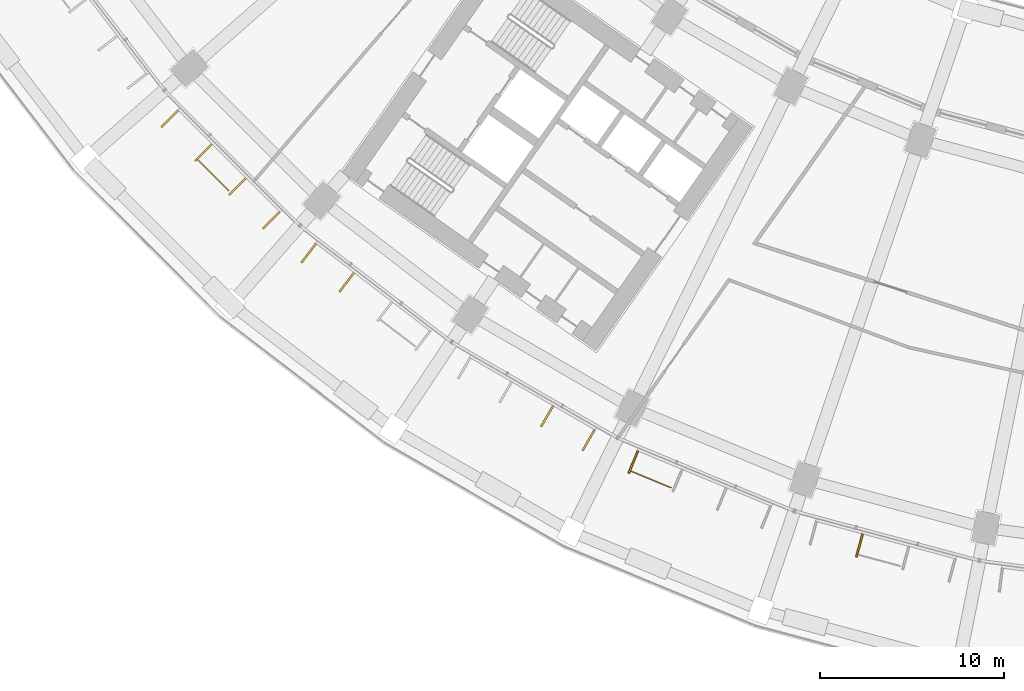
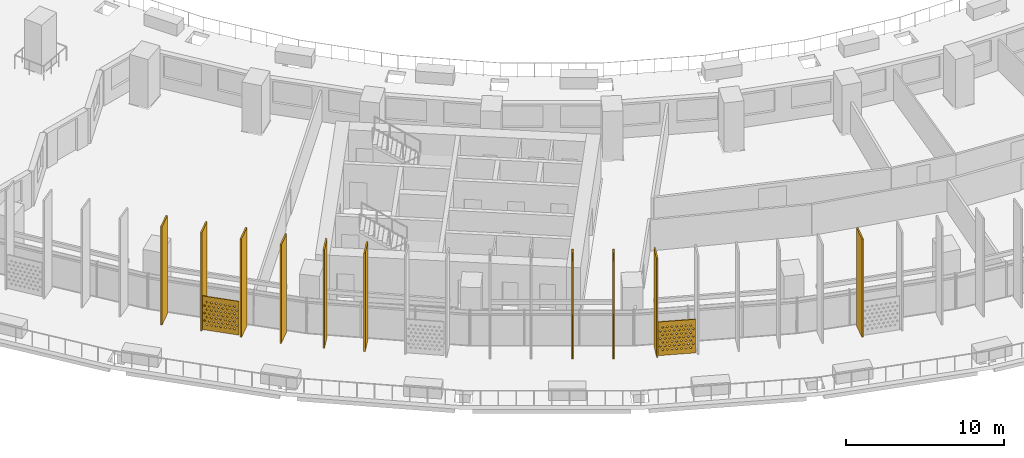
# One storey, part 24 of 35: 12 shading devices.
"""IFC4 building model written with IfcOpenShell, lengths in metres."""

import ifcopenshell
import ifcopenshell.guid

model = None  # the IFC model being written
_history = None  # IfcOwnerHistory: only IFC2X3 demands one
_inside = {}  # id of a spatial element -> (the spatial element, [elements in it])
_under = {}  # id of a project, library or spatial element -> (it, [spatial elements below it])
_declared = {}  # id of a project -> (the project, [libraries it declares])
_typed = {}  # id of a type object -> (the type object, [elements of that type])
_made_of = {}  # id of a material, layer set ... -> (it, [elements and type objects made of it])


def new_model(schema):
    """Start an empty IFC model of exactly this schema.

    Asked for "IFC4X3", IfcOpenShell would pick the latest addendum, in which some entities
    have other attributes; the version numbers below select the first issue.
    IFC2X3 requires an IfcOwnerHistory on every rooted entity: one is made here for all.
    """
    global model, _history
    if schema == "IFC4X3":
        model = ifcopenshell.file(schema_version=(4, 3, 0, 0))
    else:
        model = ifcopenshell.file(schema=schema)
    _inside.clear()
    _under.clear()
    _declared.clear()
    _typed.clear()
    _made_of.clear()
    _history = None
    if model.schema == "IFC2X3":
        org = make("IfcOrganization", Name="unknown")
        user = make(
            "IfcPersonAndOrganization",
            ThePerson=make("IfcPerson", FamilyName="unknown"),
            TheOrganization=org,
        )
        app = make(
            "IfcApplication",
            ApplicationDeveloper=org,
            Version="unknown",
            ApplicationFullName="unknown",
            ApplicationIdentifier="unknown",
        )
        _history = make(
            "IfcOwnerHistory",
            OwningUser=user,
            OwningApplication=app,
            ChangeAction="ADDED",
            CreationDate=0,
        )
    return model


def make(cls, **values):
    """One entity of the class cls with the attributes given. An attribute that is None is left unset."""
    return model.create_entity(
        cls, **{name: value for name, value in values.items() if value is not None}
    )


def rooted(cls, **values):
    """An entity with a GlobalId (a new one), such as an element, a storey or a relation."""
    return make(cls, GlobalId=ifcopenshell.guid.new(), OwnerHistory=_history, **values)


def si_unit(unit_type, name, prefix=None):
    """IfcSIUnit, for example si_unit("LENGTHUNIT", "METRE", prefix="MILLI")."""
    return make("IfcSIUnit", UnitType=unit_type, Prefix=prefix, Name=name)


def assignment(units):
    """IfcUnitAssignment: the units of a project."""
    return None if units is None else make("IfcUnitAssignment", Units=units)


def point(xyz):
    """IfcCartesianPoint."""
    return None if xyz is None else make("IfcCartesianPoint", Coordinates=xyz)


def direction(xyz):
    """IfcDirection."""
    return None if xyz is None else make("IfcDirection", DirectionRatios=xyz)


def frame(location, z_axis=None, x_axis=None):
    """IfcAxis2Placement3D, a coordinate frame: its origin and axes. An axis left out is left unset."""
    return make(
        "IfcAxis2Placement3D",
        Location=point(location),
        Axis=direction(z_axis),
        RefDirection=direction(x_axis),
    )


def frame_2d(location, x_axis=None):
    """IfcAxis2Placement2D, a coordinate frame in the plane: its origin and x axis."""
    return make(
        "IfcAxis2Placement2D", Location=point(location), RefDirection=direction(x_axis)
    )


def origin():
    """The frame at (0, 0, 0) with its axes left unset."""
    return frame((0.0, 0.0, 0.0))


def origin_2d():
    """The frame at (0, 0) in the plane with its x axis left unset."""
    return frame_2d((0.0, 0.0))


def place(relative_to, where):
    """IfcLocalPlacement: puts the frame where relative to a parent placement (None: the world)."""
    return make(
        "IfcLocalPlacement", PlacementRelTo=relative_to, RelativePlacement=where
    )


def context(
    kind, dimensions, precision=None, world=None, true_north=None, identifier=None
):
    """IfcGeometricRepresentationContext, for example the 3D "Model" context."""
    return make(
        "IfcGeometricRepresentationContext",
        ContextIdentifier=identifier,
        ContextType=kind,
        CoordinateSpaceDimension=dimensions,
        Precision=precision,
        WorldCoordinateSystem=world,
        TrueNorth=true_north,
    )


def subcontext(parent, identifier, kind, view, scale=None):
    """IfcGeometricRepresentationSubContext, for example "Body" below "Model"."""
    return make(
        "IfcGeometricRepresentationSubContext",
        ContextIdentifier=identifier,
        ContextType=kind,
        ParentContext=parent,
        TargetScale=scale,
        TargetView=view,
    )


def project(units=None, contexts=None):
    """IfcProject with its units and contexts."""
    return rooted(
        "IfcProject",
        Name="project",
        RepresentationContexts=contexts,
        UnitsInContext=assignment(units),
    )


def spatial(cls, under=None, at=None, **own):
    """A site, building, storey or space (cls), placed at a placement, below another one or the project."""
    s = rooted(cls, ObjectPlacement=at, **own)
    if under is not None:
        _under.setdefault(under.id(), (under, []))[1].append(s)
    return s


def polyline(points):
    """IfcPolyline through the points."""
    return make("IfcPolyline", Points=[point(p) for p in points])


def profile(cls, at=None, kind="AREA", **sizes):
    """A parametric profile (cls). Its sizes go by their IFC names, for example OverallWidth=200.0."""
    return make(cls, ProfileType=kind, Position=at, **sizes)


def rectangle(**sizes):
    """IfcRectangleProfileDef."""
    return profile("IfcRectangleProfileDef", **sizes)


def outline(outer, holes=None, kind="AREA"):
    """IfcArbitraryClosedProfileDef: a profile drawn as a closed curve; with holes, ...WithVoids."""
    if holes is None:
        return make("IfcArbitraryClosedProfileDef", ProfileType=kind, OuterCurve=outer)
    return make(
        "IfcArbitraryProfileDefWithVoids",
        ProfileType=kind,
        OuterCurve=outer,
        InnerCurves=holes,
    )


def extrude(swept, where, along, depth):
    """IfcExtrudedAreaSolid: the profile swept, set in the frame where, extruded along a direction by depth."""
    return make(
        "IfcExtrudedAreaSolid",
        SweptArea=swept,
        Position=where,
        ExtrudedDirection=direction(along),
        Depth=depth,
    )


def shape(context_of_items, identifier, shape_type, items):
    """IfcShapeRepresentation: the items that make up one representation, for example the "Body"."""
    return make(
        "IfcShapeRepresentation",
        ContextOfItems=context_of_items,
        RepresentationIdentifier=identifier,
        RepresentationType=shape_type,
        Items=items,
    )


def material(Name=None, Category=None):
    """IfcMaterial."""
    return make("IfcMaterial", Name=Name, Category=Category)


def material_profile(
    of_material, cross_section, Name=None, Category=None, Priority=None
):
    """IfcMaterialProfile: a cross section and its material."""
    return make(
        "IfcMaterialProfile",
        Name=Name,
        Material=of_material,
        Profile=cross_section,
        Priority=Priority,
        Category=Category,
    )


def profile_set(profiles, Name=None, composite=None):
    """IfcMaterialProfileSet."""
    return make(
        "IfcMaterialProfileSet",
        Name=Name,
        MaterialProfiles=profiles,
        CompositeProfile=composite,
    )


def made_of(thing, what):
    """Note that an element or type object is made of a material, layer set ...; save() writes the relation."""
    if what is not None:
        _made_of.setdefault(what.id(), (what, []))[1].append(thing)
    return thing


def type_object(cls, material=None, **own):
    """A type object (cls), such as IfcWallType, which elements share."""
    return made_of(rooted(cls, **own), material)


def element(
    cls,
    number,
    at=None,
    inside=None,
    cuts=None,
    type_object=None,
    material=None,
    context=None,
    identifier="Body",
    shape_type=None,
    held_by="IfcProductDefinitionShape",
    body=None,
    shapes=None,
    **own,
):
    """One element of the class cls, such as IfcWall. Its Tag is "e" and its number.

    at: its placement. inside: the storey or other place that contains it. cuts: it is an
    opening in that element (IfcRelVoidsElement). A single representation is given by context,
    identifier, shape_type and body (its items); several are given by shapes. held_by: the class
    of the entity that holds the representations. save() writes the other relations.
    """
    e = rooted(cls, Tag="e%d" % number, ObjectPlacement=at, **own)
    if body is not None:
        shapes = [shape(context, identifier, shape_type, body)]
    if shapes is not None:
        e.Representation = make(held_by, Representations=shapes)
    if inside is not None:
        _inside.setdefault(inside.id(), (inside, []))[1].append(e)
    if cuts is not None:
        rooted(
            "IfcRelVoidsElement", RelatingBuildingElement=cuts, RelatedOpeningElement=e
        )
    if type_object is not None:
        _typed.setdefault(type_object.id(), (type_object, []))[1].append(e)
    return made_of(e, material)


def aggregate(whole, parts):
    """IfcRelAggregates: a whole, such as a stair, and the parts it consists of."""
    return rooted("IfcRelAggregates", RelatingObject=whole, RelatedObjects=parts)


def save(model, path):
    """Write the relations noted so far, then the file.

    IfcRelAggregates (storeys below a building ...), IfcRelContainedInSpatialStructure (elements
    in a storey), IfcRelDefinesByType, IfcRelAssociatesMaterial and IfcRelDeclares: one each for
    every whole, place, type object, material and project.
    """
    for whole, parts in _under.values():
        aggregate(whole, parts)
    for where, things in _inside.values():
        rooted(
            "IfcRelContainedInSpatialStructure",
            RelatedElements=things,
            RelatingStructure=where,
        )
    for kind, things in _typed.values():
        rooted("IfcRelDefinesByType", RelatedObjects=things, RelatingType=kind)
    for what, things in _made_of.values():
        rooted("IfcRelAssociatesMaterial", RelatedObjects=things, RelatingMaterial=what)
    for by, libraries in _declared.values():
        rooted("IfcRelDeclares", RelatingContext=by, RelatedDefinitions=libraries)
    model.write(path)


model = new_model("IFC4")

# Units and contexts
model_context = context("Model", 3, precision=1e-05, world=origin(), true_north=direction((0.0, 1.0)))
body_context = subcontext(model_context, "Body", "Model", "MODEL_VIEW")
ifc_project = project(units=[si_unit("LENGTHUNIT", "METRE"), si_unit("AREAUNIT", "SQUARE_METRE"), si_unit("VOLUMEUNIT", "CUBIC_METRE"), si_unit("PLANEANGLEUNIT", "RADIAN"), si_unit("MASSUNIT", "GRAM", prefix="KILO")], contexts=[model_context])

# Site, building, storey
site_placement = place(None, origin())
site = spatial("IfcSite", under=ifc_project, at=site_placement, CompositionType="ELEMENT")
building_placement = place(site_placement, origin())
building = spatial("IfcBuilding", under=site, at=building_placement, Name="Qamariyya Broadcast Tower", CompositionType="ELEMENT")
storey_placement = place(building_placement, frame((0.0, 0.0, 40.5)))
storey = spatial("IfcBuildingStorey", under=building, at=storey_placement, Name="L06", CompositionType="ELEMENT", Elevation=40.5)

# Shading devices
ifc_material_1 = material(Name="Perforated glazed terracotta", Category="masonry")
ifc_material_profile_1 = material_profile(ifc_material_1, outline(polyline([(-1.199951171875, -1.300048828125), (1.199951171875, -1.300048828125), (1.199951171875, 1.300048828125), (-1.199951171875, 1.300048828125), (-1.199951171875, -1.300048828125)]), holes=[polyline([(-0.81494140625, -0.86669921875), (-0.89990234375, -0.78173828125), (-0.985107421875, -0.86669921875), (-0.89990234375, -0.95166015625), (-0.81494140625, -0.86669921875)]), polyline([(-0.514892578125, -0.86669921875), (-0.60009765625, -0.78173828125), (-0.68505859375, -0.86669921875), (-0.60009765625, -0.95166015625), (-0.514892578125, -0.86669921875)]), polyline([(-0.215087890625, -0.86669921875), (-0.300048828125, -0.78173828125), (-0.385009765625, -0.86669921875), (-0.300048828125, -0.95166015625), (-0.215087890625, -0.86669921875)]), polyline([(0.0849609375, -0.86669921875), (0.0, -0.78173828125), (-0.0849609375, -0.86669921875), (0.0, -0.95166015625), (0.0849609375, -0.86669921875)]), polyline([(0.385009765625, -0.86669921875), (0.300048828125, -0.78173828125), (0.215087890625, -0.86669921875), (0.300048828125, -0.95166015625), (0.385009765625, -0.86669921875)]), polyline([(0.68505859375, -0.86669921875), (0.60009765625, -0.78173828125), (0.514892578125, -0.86669921875), (0.60009765625, -0.95166015625), (0.68505859375, -0.86669921875)]), polyline([(0.985107421875, -0.86669921875), (0.89990234375, -0.78173828125), (0.81494140625, -0.86669921875), (0.89990234375, -0.95166015625), (0.985107421875, -0.86669921875)]), polyline([(-0.965087890625, -0.577880859375), (-1.050048828125, -0.49267578125), (-1.135009765625, -0.577880859375), (-1.050048828125, -0.662841796875), (-0.965087890625, -0.577880859375)]), polyline([(-0.6650390625, -0.577880859375), (-0.75, -0.49267578125), (-0.8349609375, -0.577880859375), (-0.75, -0.662841796875), (-0.6650390625, -0.577880859375)]), polyline([(-0.364990234375, -0.577880859375), (-0.449951171875, -0.49267578125), (-0.534912109375, -0.577880859375), (-0.449951171875, -0.662841796875), (-0.364990234375, -0.577880859375)]), polyline([(-0.06494140625, -0.577880859375), (-0.14990234375, -0.49267578125), (-0.235107421875, -0.577880859375), (-0.14990234375, -0.662841796875), (-0.06494140625, -0.577880859375)]), polyline([(0.235107421875, -0.577880859375), (0.14990234375, -0.49267578125), (0.06494140625, -0.577880859375), (0.14990234375, -0.662841796875), (0.235107421875, -0.577880859375)]), polyline([(0.534912109375, -0.577880859375), (0.449951171875, -0.49267578125), (0.364990234375, -0.577880859375), (0.449951171875, -0.662841796875), (0.534912109375, -0.577880859375)]), polyline([(0.8349609375, -0.577880859375), (0.75, -0.49267578125), (0.6650390625, -0.577880859375), (0.75, -0.662841796875), (0.8349609375, -0.577880859375)]), polyline([(1.135009765625, -0.577880859375), (1.050048828125, -0.49267578125), (0.965087890625, -0.577880859375), (1.050048828125, -0.662841796875), (1.135009765625, -0.577880859375)]), polyline([(-0.81494140625, -0.288818359375), (-0.89990234375, -0.203857421875), (-0.985107421875, -0.288818359375), (-0.89990234375, -0.373779296875), (-0.81494140625, -0.288818359375)]), polyline([(-0.514892578125, -0.288818359375), (-0.60009765625, -0.203857421875), (-0.68505859375, -0.288818359375), (-0.60009765625, -0.373779296875), (-0.514892578125, -0.288818359375)]), polyline([(-0.215087890625, -0.288818359375), (-0.300048828125, -0.203857421875), (-0.385009765625, -0.288818359375), (-0.300048828125, -0.373779296875), (-0.215087890625, -0.288818359375)]), polyline([(0.0849609375, -0.288818359375), (0.0, -0.203857421875), (-0.0849609375, -0.288818359375), (0.0, -0.373779296875), (0.0849609375, -0.288818359375)]), polyline([(0.385009765625, -0.288818359375), (0.300048828125, -0.203857421875), (0.215087890625, -0.288818359375), (0.300048828125, -0.373779296875), (0.385009765625, -0.288818359375)]), polyline([(0.68505859375, -0.288818359375), (0.60009765625, -0.203857421875), (0.514892578125, -0.288818359375), (0.60009765625, -0.373779296875), (0.68505859375, -0.288818359375)]), polyline([(0.985107421875, -0.288818359375), (0.89990234375, -0.203857421875), (0.81494140625, -0.288818359375), (0.89990234375, -0.373779296875), (0.985107421875, -0.288818359375)]), polyline([(-0.965087890625, 0.0), (-1.050048828125, 0.0849609375), (-1.135009765625, 0.0), (-1.050048828125, -0.0849609375), (-0.965087890625, 0.0)]), polyline([(-0.6650390625, 0.0), (-0.75, 0.0849609375), (-0.8349609375, 0.0), (-0.75, -0.0849609375), (-0.6650390625, 0.0)]), polyline([(-0.364990234375, 0.0), (-0.449951171875, 0.0849609375), (-0.534912109375, 0.0), (-0.449951171875, -0.0849609375), (-0.364990234375, 0.0)]), polyline([(-0.06494140625, 0.0), (-0.14990234375, 0.0849609375), (-0.235107421875, 0.0), (-0.14990234375, -0.0849609375), (-0.06494140625, 0.0)]), polyline([(0.235107421875, 0.0), (0.14990234375, 0.0849609375), (0.06494140625, 0.0), (0.14990234375, -0.0849609375), (0.235107421875, 0.0)]), polyline([(0.534912109375, 0.0), (0.449951171875, 0.0849609375), (0.364990234375, 0.0), (0.449951171875, -0.0849609375), (0.534912109375, 0.0)]), polyline([(0.8349609375, 0.0), (0.75, 0.0849609375), (0.6650390625, 0.0), (0.75, -0.0849609375), (0.8349609375, 0.0)]), polyline([(1.135009765625, 0.0), (1.050048828125, 0.0849609375), (0.965087890625, 0.0), (1.050048828125, -0.0849609375), (1.135009765625, 0.0)]), polyline([(-0.81494140625, 0.288818359375), (-0.89990234375, 0.373779296875), (-0.985107421875, 0.288818359375), (-0.89990234375, 0.203857421875), (-0.81494140625, 0.288818359375)]), polyline([(-0.514892578125, 0.288818359375), (-0.60009765625, 0.373779296875), (-0.68505859375, 0.288818359375), (-0.60009765625, 0.203857421875), (-0.514892578125, 0.288818359375)]), polyline([(-0.215087890625, 0.288818359375), (-0.300048828125, 0.373779296875), (-0.385009765625, 0.288818359375), (-0.300048828125, 0.203857421875), (-0.215087890625, 0.288818359375)]), polyline([(0.0849609375, 0.288818359375), (0.0, 0.373779296875), (-0.0849609375, 0.288818359375), (0.0, 0.203857421875), (0.0849609375, 0.288818359375)]), polyline([(0.385009765625, 0.288818359375), (0.300048828125, 0.373779296875), (0.215087890625, 0.288818359375), (0.300048828125, 0.203857421875), (0.385009765625, 0.288818359375)]), polyline([(0.68505859375, 0.288818359375), (0.60009765625, 0.373779296875), (0.514892578125, 0.288818359375), (0.60009765625, 0.203857421875), (0.68505859375, 0.288818359375)]), polyline([(0.985107421875, 0.288818359375), (0.89990234375, 0.373779296875), (0.81494140625, 0.288818359375), (0.89990234375, 0.203857421875), (0.985107421875, 0.288818359375)]), polyline([(-0.965087890625, 0.577880859375), (-1.050048828125, 0.662841796875), (-1.135009765625, 0.577880859375), (-1.050048828125, 0.49267578125), (-0.965087890625, 0.577880859375)]), polyline([(-0.6650390625, 0.577880859375), (-0.75, 0.662841796875), (-0.8349609375, 0.577880859375), (-0.75, 0.49267578125), (-0.6650390625, 0.577880859375)]), polyline([(-0.364990234375, 0.577880859375), (-0.449951171875, 0.662841796875), (-0.534912109375, 0.577880859375), (-0.449951171875, 0.49267578125), (-0.364990234375, 0.577880859375)]), polyline([(-0.06494140625, 0.577880859375), (-0.14990234375, 0.662841796875), (-0.235107421875, 0.577880859375), (-0.14990234375, 0.49267578125), (-0.06494140625, 0.577880859375)]), polyline([(0.235107421875, 0.577880859375), (0.14990234375, 0.662841796875), (0.06494140625, 0.577880859375), (0.14990234375, 0.49267578125), (0.235107421875, 0.577880859375)]), polyline([(0.534912109375, 0.577880859375), (0.449951171875, 0.662841796875), (0.364990234375, 0.577880859375), (0.449951171875, 0.49267578125), (0.534912109375, 0.577880859375)]), polyline([(0.8349609375, 0.577880859375), (0.75, 0.662841796875), (0.6650390625, 0.577880859375), (0.75, 0.49267578125), (0.8349609375, 0.577880859375)]), polyline([(1.135009765625, 0.577880859375), (1.050048828125, 0.662841796875), (0.965087890625, 0.577880859375), (1.050048828125, 0.49267578125), (1.135009765625, 0.577880859375)]), polyline([(-0.81494140625, 0.86669921875), (-0.89990234375, 0.95166015625), (-0.985107421875, 0.86669921875), (-0.89990234375, 0.78173828125), (-0.81494140625, 0.86669921875)]), polyline([(-0.514892578125, 0.86669921875), (-0.60009765625, 0.95166015625), (-0.68505859375, 0.86669921875), (-0.60009765625, 0.78173828125), (-0.514892578125, 0.86669921875)]), polyline([(-0.215087890625, 0.86669921875), (-0.300048828125, 0.95166015625), (-0.385009765625, 0.86669921875), (-0.300048828125, 0.78173828125), (-0.215087890625, 0.86669921875)]), polyline([(0.0849609375, 0.86669921875), (0.0, 0.95166015625), (-0.0849609375, 0.86669921875), (0.0, 0.78173828125), (0.0849609375, 0.86669921875)]), polyline([(0.385009765625, 0.86669921875), (0.300048828125, 0.95166015625), (0.215087890625, 0.86669921875), (0.300048828125, 0.78173828125), (0.385009765625, 0.86669921875)]), polyline([(0.68505859375, 0.86669921875), (0.60009765625, 0.95166015625), (0.514892578125, 0.86669921875), (0.60009765625, 0.78173828125), (0.68505859375, 0.86669921875)]), polyline([(0.985107421875, 0.86669921875), (0.89990234375, 0.95166015625), (0.81494140625, 0.86669921875), (0.89990234375, 0.78173828125), (0.985107421875, 0.86669921875)])]))
ifc_profile_set_1 = profile_set([ifc_material_profile_1], Name="Perforated glazed terracotta")
shading_device_type_1 = type_object("IfcShadingDeviceType", Name="Perforated terracotta screen 2400 x 2600", PredefinedType="USERDEFINED", material=ifc_profile_set_1)
shading_device_1_placement = place(storey_placement, frame((-57.135498046875, -57.0615234375, 1.35009765625), z_axis=(-0.707106781187, -0.707106781187, 0.0), x_axis=(0.707106781187, -0.707106781187, 0.0)))
element("IfcShadingDevice", 1, at=shading_device_1_placement, inside=storey, type_object=shading_device_type_1, Name="e-scr-L06-02-1", ObjectType="SCREEN", PredefinedType="USERDEFINED", context=body_context, shape_type="SweptSolid", body=[
    extrude(outline(polyline([(-1.199951171875, -1.300048828125), (1.199951171875, -1.300048828125), (1.199951171875, 1.300048828125), (-1.199951171875, 1.300048828125), (-1.199951171875, -1.300048828125)]), holes=[polyline([(-0.81494140625, -0.86669921875), (-0.89990234375, -0.78173828125), (-0.985107421875, -0.86669921875), (-0.89990234375, -0.95166015625), (-0.81494140625, -0.86669921875)]), polyline([(-0.514892578125, -0.86669921875), (-0.60009765625, -0.78173828125), (-0.68505859375, -0.86669921875), (-0.60009765625, -0.95166015625), (-0.514892578125, -0.86669921875)]), polyline([(-0.215087890625, -0.86669921875), (-0.300048828125, -0.78173828125), (-0.385009765625, -0.86669921875), (-0.300048828125, -0.95166015625), (-0.215087890625, -0.86669921875)]), polyline([(0.0849609375, -0.86669921875), (0.0, -0.78173828125), (-0.0849609375, -0.86669921875), (0.0, -0.95166015625), (0.0849609375, -0.86669921875)]), polyline([(0.385009765625, -0.86669921875), (0.300048828125, -0.78173828125), (0.215087890625, -0.86669921875), (0.300048828125, -0.95166015625), (0.385009765625, -0.86669921875)]), polyline([(0.68505859375, -0.86669921875), (0.60009765625, -0.78173828125), (0.514892578125, -0.86669921875), (0.60009765625, -0.95166015625), (0.68505859375, -0.86669921875)]), polyline([(0.985107421875, -0.86669921875), (0.89990234375, -0.78173828125), (0.81494140625, -0.86669921875), (0.89990234375, -0.95166015625), (0.985107421875, -0.86669921875)]), polyline([(-0.965087890625, -0.577880859375), (-1.050048828125, -0.49267578125), (-1.135009765625, -0.577880859375), (-1.050048828125, -0.662841796875), (-0.965087890625, -0.577880859375)]), polyline([(-0.6650390625, -0.577880859375), (-0.75, -0.49267578125), (-0.8349609375, -0.577880859375), (-0.75, -0.662841796875), (-0.6650390625, -0.577880859375)]), polyline([(-0.364990234375, -0.577880859375), (-0.449951171875, -0.49267578125), (-0.534912109375, -0.577880859375), (-0.449951171875, -0.662841796875), (-0.364990234375, -0.577880859375)]), polyline([(-0.06494140625, -0.577880859375), (-0.14990234375, -0.49267578125), (-0.235107421875, -0.577880859375), (-0.14990234375, -0.662841796875), (-0.06494140625, -0.577880859375)]), polyline([(0.235107421875, -0.577880859375), (0.14990234375, -0.49267578125), (0.06494140625, -0.577880859375), (0.14990234375, -0.662841796875), (0.235107421875, -0.577880859375)]), polyline([(0.534912109375, -0.577880859375), (0.449951171875, -0.49267578125), (0.364990234375, -0.577880859375), (0.449951171875, -0.662841796875), (0.534912109375, -0.577880859375)]), polyline([(0.8349609375, -0.577880859375), (0.75, -0.49267578125), (0.6650390625, -0.577880859375), (0.75, -0.662841796875), (0.8349609375, -0.577880859375)]), polyline([(1.135009765625, -0.577880859375), (1.050048828125, -0.49267578125), (0.965087890625, -0.577880859375), (1.050048828125, -0.662841796875), (1.135009765625, -0.577880859375)]), polyline([(-0.81494140625, -0.288818359375), (-0.89990234375, -0.203857421875), (-0.985107421875, -0.288818359375), (-0.89990234375, -0.373779296875), (-0.81494140625, -0.288818359375)]), polyline([(-0.514892578125, -0.288818359375), (-0.60009765625, -0.203857421875), (-0.68505859375, -0.288818359375), (-0.60009765625, -0.373779296875), (-0.514892578125, -0.288818359375)]), polyline([(-0.215087890625, -0.288818359375), (-0.300048828125, -0.203857421875), (-0.385009765625, -0.288818359375), (-0.300048828125, -0.373779296875), (-0.215087890625, -0.288818359375)]), polyline([(0.0849609375, -0.288818359375), (0.0, -0.203857421875), (-0.0849609375, -0.288818359375), (0.0, -0.373779296875), (0.0849609375, -0.288818359375)]), polyline([(0.385009765625, -0.288818359375), (0.300048828125, -0.203857421875), (0.215087890625, -0.288818359375), (0.300048828125, -0.373779296875), (0.385009765625, -0.288818359375)]), polyline([(0.68505859375, -0.288818359375), (0.60009765625, -0.203857421875), (0.514892578125, -0.288818359375), (0.60009765625, -0.373779296875), (0.68505859375, -0.288818359375)]), polyline([(0.985107421875, -0.288818359375), (0.89990234375, -0.203857421875), (0.81494140625, -0.288818359375), (0.89990234375, -0.373779296875), (0.985107421875, -0.288818359375)]), polyline([(-0.965087890625, 0.0), (-1.050048828125, 0.0849609375), (-1.135009765625, 0.0), (-1.050048828125, -0.0849609375), (-0.965087890625, 0.0)]), polyline([(-0.6650390625, 0.0), (-0.75, 0.0849609375), (-0.8349609375, 0.0), (-0.75, -0.0849609375), (-0.6650390625, 0.0)]), polyline([(-0.364990234375, 0.0), (-0.449951171875, 0.0849609375), (-0.534912109375, 0.0), (-0.449951171875, -0.0849609375), (-0.364990234375, 0.0)]), polyline([(-0.06494140625, 0.0), (-0.14990234375, 0.0849609375), (-0.235107421875, 0.0), (-0.14990234375, -0.0849609375), (-0.06494140625, 0.0)]), polyline([(0.235107421875, 0.0), (0.14990234375, 0.0849609375), (0.06494140625, 0.0), (0.14990234375, -0.0849609375), (0.235107421875, 0.0)]), polyline([(0.534912109375, 0.0), (0.449951171875, 0.0849609375), (0.364990234375, 0.0), (0.449951171875, -0.0849609375), (0.534912109375, 0.0)]), polyline([(0.8349609375, 0.0), (0.75, 0.0849609375), (0.6650390625, 0.0), (0.75, -0.0849609375), (0.8349609375, 0.0)]), polyline([(1.135009765625, 0.0), (1.050048828125, 0.0849609375), (0.965087890625, 0.0), (1.050048828125, -0.0849609375), (1.135009765625, 0.0)]), polyline([(-0.81494140625, 0.288818359375), (-0.89990234375, 0.373779296875), (-0.985107421875, 0.288818359375), (-0.89990234375, 0.203857421875), (-0.81494140625, 0.288818359375)]), polyline([(-0.514892578125, 0.288818359375), (-0.60009765625, 0.373779296875), (-0.68505859375, 0.288818359375), (-0.60009765625, 0.203857421875), (-0.514892578125, 0.288818359375)]), polyline([(-0.215087890625, 0.288818359375), (-0.300048828125, 0.373779296875), (-0.385009765625, 0.288818359375), (-0.300048828125, 0.203857421875), (-0.215087890625, 0.288818359375)]), polyline([(0.0849609375, 0.288818359375), (0.0, 0.373779296875), (-0.0849609375, 0.288818359375), (0.0, 0.203857421875), (0.0849609375, 0.288818359375)]), polyline([(0.385009765625, 0.288818359375), (0.300048828125, 0.373779296875), (0.215087890625, 0.288818359375), (0.300048828125, 0.203857421875), (0.385009765625, 0.288818359375)]), polyline([(0.68505859375, 0.288818359375), (0.60009765625, 0.373779296875), (0.514892578125, 0.288818359375), (0.60009765625, 0.203857421875), (0.68505859375, 0.288818359375)]), polyline([(0.985107421875, 0.288818359375), (0.89990234375, 0.373779296875), (0.81494140625, 0.288818359375), (0.89990234375, 0.203857421875), (0.985107421875, 0.288818359375)]), polyline([(-0.965087890625, 0.577880859375), (-1.050048828125, 0.662841796875), (-1.135009765625, 0.577880859375), (-1.050048828125, 0.49267578125), (-0.965087890625, 0.577880859375)]), polyline([(-0.6650390625, 0.577880859375), (-0.75, 0.662841796875), (-0.8349609375, 0.577880859375), (-0.75, 0.49267578125), (-0.6650390625, 0.577880859375)]), polyline([(-0.364990234375, 0.577880859375), (-0.449951171875, 0.662841796875), (-0.534912109375, 0.577880859375), (-0.449951171875, 0.49267578125), (-0.364990234375, 0.577880859375)]), polyline([(-0.06494140625, 0.577880859375), (-0.14990234375, 0.662841796875), (-0.235107421875, 0.577880859375), (-0.14990234375, 0.49267578125), (-0.06494140625, 0.577880859375)]), polyline([(0.235107421875, 0.577880859375), (0.14990234375, 0.662841796875), (0.06494140625, 0.577880859375), (0.14990234375, 0.49267578125), (0.235107421875, 0.577880859375)]), polyline([(0.534912109375, 0.577880859375), (0.449951171875, 0.662841796875), (0.364990234375, 0.577880859375), (0.449951171875, 0.49267578125), (0.534912109375, 0.577880859375)]), polyline([(0.8349609375, 0.577880859375), (0.75, 0.662841796875), (0.6650390625, 0.577880859375), (0.75, 0.49267578125), (0.8349609375, 0.577880859375)]), polyline([(1.135009765625, 0.577880859375), (1.050048828125, 0.662841796875), (0.965087890625, 0.577880859375), (1.050048828125, 0.49267578125), (1.135009765625, 0.577880859375)]), polyline([(-0.81494140625, 0.86669921875), (-0.89990234375, 0.95166015625), (-0.985107421875, 0.86669921875), (-0.89990234375, 0.78173828125), (-0.81494140625, 0.86669921875)]), polyline([(-0.514892578125, 0.86669921875), (-0.60009765625, 0.95166015625), (-0.68505859375, 0.86669921875), (-0.60009765625, 0.78173828125), (-0.514892578125, 0.86669921875)]), polyline([(-0.215087890625, 0.86669921875), (-0.300048828125, 0.95166015625), (-0.385009765625, 0.86669921875), (-0.300048828125, 0.78173828125), (-0.215087890625, 0.86669921875)]), polyline([(0.0849609375, 0.86669921875), (0.0, 0.95166015625), (-0.0849609375, 0.86669921875), (0.0, 0.78173828125), (0.0849609375, 0.86669921875)]), polyline([(0.385009765625, 0.86669921875), (0.300048828125, 0.95166015625), (0.215087890625, 0.86669921875), (0.300048828125, 0.78173828125), (0.385009765625, 0.86669921875)]), polyline([(0.68505859375, 0.86669921875), (0.60009765625, 0.95166015625), (0.514892578125, 0.86669921875), (0.60009765625, 0.78173828125), (0.68505859375, 0.86669921875)]), polyline([(0.985107421875, 0.86669921875), (0.89990234375, 0.95166015625), (0.81494140625, 0.86669921875), (0.89990234375, 0.78173828125), (0.985107421875, 0.86669921875)])]), origin(), (0.0, 0.0, 1.0), 0.06005859375),
])
shading_device_2_placement = place(storey_placement, frame((-33.356201171875, -73.5859375, 1.35009765625), z_axis=(-0.382591441855, -0.923917630863, 0.0), x_axis=(0.923917630863, -0.382591441855, 0.0)))
element("IfcShadingDevice", 2, at=shading_device_2_placement, inside=storey, type_object=shading_device_type_1, Name="e-scr-L06-05-0", ObjectType="SCREEN", PredefinedType="USERDEFINED", context=body_context, shape_type="SweptSolid", body=[
    extrude(outline(polyline([(-1.199951171875, -1.300048828125), (1.199951171875, -1.300048828125), (1.199951171875, 1.300048828125), (-1.199951171875, 1.300048828125), (-1.199951171875, -1.300048828125)]), holes=[polyline([(-0.81494140625, -0.86669921875), (-0.89990234375, -0.78173828125), (-0.985107421875, -0.86669921875), (-0.89990234375, -0.95166015625), (-0.81494140625, -0.86669921875)]), polyline([(-0.514892578125, -0.86669921875), (-0.60009765625, -0.78173828125), (-0.68505859375, -0.86669921875), (-0.60009765625, -0.95166015625), (-0.514892578125, -0.86669921875)]), polyline([(-0.215087890625, -0.86669921875), (-0.300048828125, -0.78173828125), (-0.385009765625, -0.86669921875), (-0.300048828125, -0.95166015625), (-0.215087890625, -0.86669921875)]), polyline([(0.0849609375, -0.86669921875), (0.0, -0.78173828125), (-0.0849609375, -0.86669921875), (0.0, -0.95166015625), (0.0849609375, -0.86669921875)]), polyline([(0.385009765625, -0.86669921875), (0.300048828125, -0.78173828125), (0.215087890625, -0.86669921875), (0.300048828125, -0.95166015625), (0.385009765625, -0.86669921875)]), polyline([(0.68505859375, -0.86669921875), (0.60009765625, -0.78173828125), (0.514892578125, -0.86669921875), (0.60009765625, -0.95166015625), (0.68505859375, -0.86669921875)]), polyline([(0.985107421875, -0.86669921875), (0.89990234375, -0.78173828125), (0.81494140625, -0.86669921875), (0.89990234375, -0.95166015625), (0.985107421875, -0.86669921875)]), polyline([(-0.965087890625, -0.577880859375), (-1.050048828125, -0.49267578125), (-1.135009765625, -0.577880859375), (-1.050048828125, -0.662841796875), (-0.965087890625, -0.577880859375)]), polyline([(-0.6650390625, -0.577880859375), (-0.75, -0.49267578125), (-0.8349609375, -0.577880859375), (-0.75, -0.662841796875), (-0.6650390625, -0.577880859375)]), polyline([(-0.364990234375, -0.577880859375), (-0.449951171875, -0.49267578125), (-0.534912109375, -0.577880859375), (-0.449951171875, -0.662841796875), (-0.364990234375, -0.577880859375)]), polyline([(-0.06494140625, -0.577880859375), (-0.14990234375, -0.49267578125), (-0.235107421875, -0.577880859375), (-0.14990234375, -0.662841796875), (-0.06494140625, -0.577880859375)]), polyline([(0.235107421875, -0.577880859375), (0.14990234375, -0.49267578125), (0.06494140625, -0.577880859375), (0.14990234375, -0.662841796875), (0.235107421875, -0.577880859375)]), polyline([(0.534912109375, -0.577880859375), (0.449951171875, -0.49267578125), (0.364990234375, -0.577880859375), (0.449951171875, -0.662841796875), (0.534912109375, -0.577880859375)]), polyline([(0.8349609375, -0.577880859375), (0.75, -0.49267578125), (0.6650390625, -0.577880859375), (0.75, -0.662841796875), (0.8349609375, -0.577880859375)]), polyline([(1.135009765625, -0.577880859375), (1.050048828125, -0.49267578125), (0.965087890625, -0.577880859375), (1.050048828125, -0.662841796875), (1.135009765625, -0.577880859375)]), polyline([(-0.81494140625, -0.288818359375), (-0.89990234375, -0.203857421875), (-0.985107421875, -0.288818359375), (-0.89990234375, -0.373779296875), (-0.81494140625, -0.288818359375)]), polyline([(-0.514892578125, -0.288818359375), (-0.60009765625, -0.203857421875), (-0.68505859375, -0.288818359375), (-0.60009765625, -0.373779296875), (-0.514892578125, -0.288818359375)]), polyline([(-0.215087890625, -0.288818359375), (-0.300048828125, -0.203857421875), (-0.385009765625, -0.288818359375), (-0.300048828125, -0.373779296875), (-0.215087890625, -0.288818359375)]), polyline([(0.0849609375, -0.288818359375), (0.0, -0.203857421875), (-0.0849609375, -0.288818359375), (0.0, -0.373779296875), (0.0849609375, -0.288818359375)]), polyline([(0.385009765625, -0.288818359375), (0.300048828125, -0.203857421875), (0.215087890625, -0.288818359375), (0.300048828125, -0.373779296875), (0.385009765625, -0.288818359375)]), polyline([(0.68505859375, -0.288818359375), (0.60009765625, -0.203857421875), (0.514892578125, -0.288818359375), (0.60009765625, -0.373779296875), (0.68505859375, -0.288818359375)]), polyline([(0.985107421875, -0.288818359375), (0.89990234375, -0.203857421875), (0.81494140625, -0.288818359375), (0.89990234375, -0.373779296875), (0.985107421875, -0.288818359375)]), polyline([(-0.965087890625, 0.0), (-1.050048828125, 0.0849609375), (-1.135009765625, 0.0), (-1.050048828125, -0.0849609375), (-0.965087890625, 0.0)]), polyline([(-0.6650390625, 0.0), (-0.75, 0.0849609375), (-0.8349609375, 0.0), (-0.75, -0.0849609375), (-0.6650390625, 0.0)]), polyline([(-0.364990234375, 0.0), (-0.449951171875, 0.0849609375), (-0.534912109375, 0.0), (-0.449951171875, -0.0849609375), (-0.364990234375, 0.0)]), polyline([(-0.06494140625, 0.0), (-0.14990234375, 0.0849609375), (-0.235107421875, 0.0), (-0.14990234375, -0.0849609375), (-0.06494140625, 0.0)]), polyline([(0.235107421875, 0.0), (0.14990234375, 0.0849609375), (0.06494140625, 0.0), (0.14990234375, -0.0849609375), (0.235107421875, 0.0)]), polyline([(0.534912109375, 0.0), (0.449951171875, 0.0849609375), (0.364990234375, 0.0), (0.449951171875, -0.0849609375), (0.534912109375, 0.0)]), polyline([(0.8349609375, 0.0), (0.75, 0.0849609375), (0.6650390625, 0.0), (0.75, -0.0849609375), (0.8349609375, 0.0)]), polyline([(1.135009765625, 0.0), (1.050048828125, 0.0849609375), (0.965087890625, 0.0), (1.050048828125, -0.0849609375), (1.135009765625, 0.0)]), polyline([(-0.81494140625, 0.288818359375), (-0.89990234375, 0.373779296875), (-0.985107421875, 0.288818359375), (-0.89990234375, 0.203857421875), (-0.81494140625, 0.288818359375)]), polyline([(-0.514892578125, 0.288818359375), (-0.60009765625, 0.373779296875), (-0.68505859375, 0.288818359375), (-0.60009765625, 0.203857421875), (-0.514892578125, 0.288818359375)]), polyline([(-0.215087890625, 0.288818359375), (-0.300048828125, 0.373779296875), (-0.385009765625, 0.288818359375), (-0.300048828125, 0.203857421875), (-0.215087890625, 0.288818359375)]), polyline([(0.0849609375, 0.288818359375), (0.0, 0.373779296875), (-0.0849609375, 0.288818359375), (0.0, 0.203857421875), (0.0849609375, 0.288818359375)]), polyline([(0.385009765625, 0.288818359375), (0.300048828125, 0.373779296875), (0.215087890625, 0.288818359375), (0.300048828125, 0.203857421875), (0.385009765625, 0.288818359375)]), polyline([(0.68505859375, 0.288818359375), (0.60009765625, 0.373779296875), (0.514892578125, 0.288818359375), (0.60009765625, 0.203857421875), (0.68505859375, 0.288818359375)]), polyline([(0.985107421875, 0.288818359375), (0.89990234375, 0.373779296875), (0.81494140625, 0.288818359375), (0.89990234375, 0.203857421875), (0.985107421875, 0.288818359375)]), polyline([(-0.965087890625, 0.577880859375), (-1.050048828125, 0.662841796875), (-1.135009765625, 0.577880859375), (-1.050048828125, 0.49267578125), (-0.965087890625, 0.577880859375)]), polyline([(-0.6650390625, 0.577880859375), (-0.75, 0.662841796875), (-0.8349609375, 0.577880859375), (-0.75, 0.49267578125), (-0.6650390625, 0.577880859375)]), polyline([(-0.364990234375, 0.577880859375), (-0.449951171875, 0.662841796875), (-0.534912109375, 0.577880859375), (-0.449951171875, 0.49267578125), (-0.364990234375, 0.577880859375)]), polyline([(-0.06494140625, 0.577880859375), (-0.14990234375, 0.662841796875), (-0.235107421875, 0.577880859375), (-0.14990234375, 0.49267578125), (-0.06494140625, 0.577880859375)]), polyline([(0.235107421875, 0.577880859375), (0.14990234375, 0.662841796875), (0.06494140625, 0.577880859375), (0.14990234375, 0.49267578125), (0.235107421875, 0.577880859375)]), polyline([(0.534912109375, 0.577880859375), (0.449951171875, 0.662841796875), (0.364990234375, 0.577880859375), (0.449951171875, 0.49267578125), (0.534912109375, 0.577880859375)]), polyline([(0.8349609375, 0.577880859375), (0.75, 0.662841796875), (0.6650390625, 0.577880859375), (0.75, 0.49267578125), (0.8349609375, 0.577880859375)]), polyline([(1.135009765625, 0.577880859375), (1.050048828125, 0.662841796875), (0.965087890625, 0.577880859375), (1.050048828125, 0.49267578125), (1.135009765625, 0.577880859375)]), polyline([(-0.81494140625, 0.86669921875), (-0.89990234375, 0.95166015625), (-0.985107421875, 0.86669921875), (-0.89990234375, 0.78173828125), (-0.81494140625, 0.86669921875)]), polyline([(-0.514892578125, 0.86669921875), (-0.60009765625, 0.95166015625), (-0.68505859375, 0.86669921875), (-0.60009765625, 0.78173828125), (-0.514892578125, 0.86669921875)]), polyline([(-0.215087890625, 0.86669921875), (-0.300048828125, 0.95166015625), (-0.385009765625, 0.86669921875), (-0.300048828125, 0.78173828125), (-0.215087890625, 0.86669921875)]), polyline([(0.0849609375, 0.86669921875), (0.0, 0.95166015625), (-0.0849609375, 0.86669921875), (0.0, 0.78173828125), (0.0849609375, 0.86669921875)]), polyline([(0.385009765625, 0.86669921875), (0.300048828125, 0.95166015625), (0.215087890625, 0.86669921875), (0.300048828125, 0.78173828125), (0.385009765625, 0.86669921875)]), polyline([(0.68505859375, 0.86669921875), (0.60009765625, 0.95166015625), (0.514892578125, 0.86669921875), (0.60009765625, 0.78173828125), (0.68505859375, 0.86669921875)]), polyline([(0.985107421875, 0.86669921875), (0.89990234375, 0.95166015625), (0.81494140625, 0.86669921875), (0.89990234375, 0.78173828125), (0.985107421875, 0.86669921875)])]), origin(), (0.0, 0.0, 1.0), 0.06005859375),
])
ifc_material_2 = material(Name="Glazed terracotta", Category="masonry")
ifc_material_profile_2 = material_profile(ifc_material_2, rectangle(XDim=1.300048828125, YDim=0.10009765625, at=origin_2d()))
ifc_profile_set_2 = profile_set([ifc_material_profile_2], Name="Glazed terracotta")
shading_device_type_2 = type_object("IfcShadingDeviceType", Name="Terracotta fin 100 x 1300", PredefinedType="USERDEFINED", material=ifc_profile_set_2)
for number, where, z_axis, x_axis, name in (
    (3, (-59.52880859375, -54.00341796875, 0.0), (0.0, 0.0, 1.0), (-0.707106781187, -0.707106781187, 0.0), "e-fin-L06-02-0"),
    (4, (-57.68701171875, -55.84521484375, 0.0), (0.0, 0.0, 1.0), (-0.707106781187, -0.707106781187, 0.0), "e-fin-L06-02-1"),
    (5, (-55.84521484375, -57.68701171875, 0.0), (0.0, 0.0, 1.0), (-0.707106781187, -0.707106781187, 0.0), "e-fin-L06-02-2"),
    (6, (-54.00341796875, -59.52880859375, 0.0), (0.0, 0.0, 1.0), (-0.707106781187, -0.707106781187, 0.0), "e-fin-L06-02-3"),
    (7, (-51.970703125, -61.3115234375, 0.0), (0.0, 0.0, 1.0), (-0.608761429009, -0.793353340291, 0.0), "e-fin-L06-03-0"),
    (8, (-49.904296875, -62.897216796875, 0.0), (0.0, 0.0, 1.0), (-0.608761429009, -0.793353340291, 0.0), "e-fin-L06-03-1"),
    (9, (-39.011962890625, -70.17529296875, 0.0), (0.0, 0.0, 1.0), (-0.5, -0.866025403784, 0.0), "e-fin-L06-04-2"),
    (10, (-36.756103515625, -71.4775390625, 0.0), (0.0, 0.0, 1.0), (-0.5, -0.866025403784, 0.0), "e-fin-L06-04-3"),
    (11, (-34.331298828125, -72.67333984375, 0.0), (0.0, 0.0, 1.0), (-0.382683432365, -0.923879532511, 0.0), "e-fin-L06-05-0"),
    (12, (-22.035888671875, -77.20703125, 0.0), (0.0, 0.0, 1.0), (-0.258819045103, -0.965925826289, 0.0), "e-fin-L06-06-1"),
):
    element("IfcShadingDevice", number, at=place(storey_placement, frame(where, z_axis=z_axis, x_axis=x_axis)), inside=storey, type_object=shading_device_type_2, Name=name, ObjectType="FIN", PredefinedType="USERDEFINED", context=body_context, shape_type="SweptSolid", body=[
        extrude(rectangle(XDim=1.300048828125, YDim=0.10009765625, at=origin_2d()), origin(), (0.0, 0.0, 1.0), 7.60009765625),
    ])

save(model, "model.ifc")
